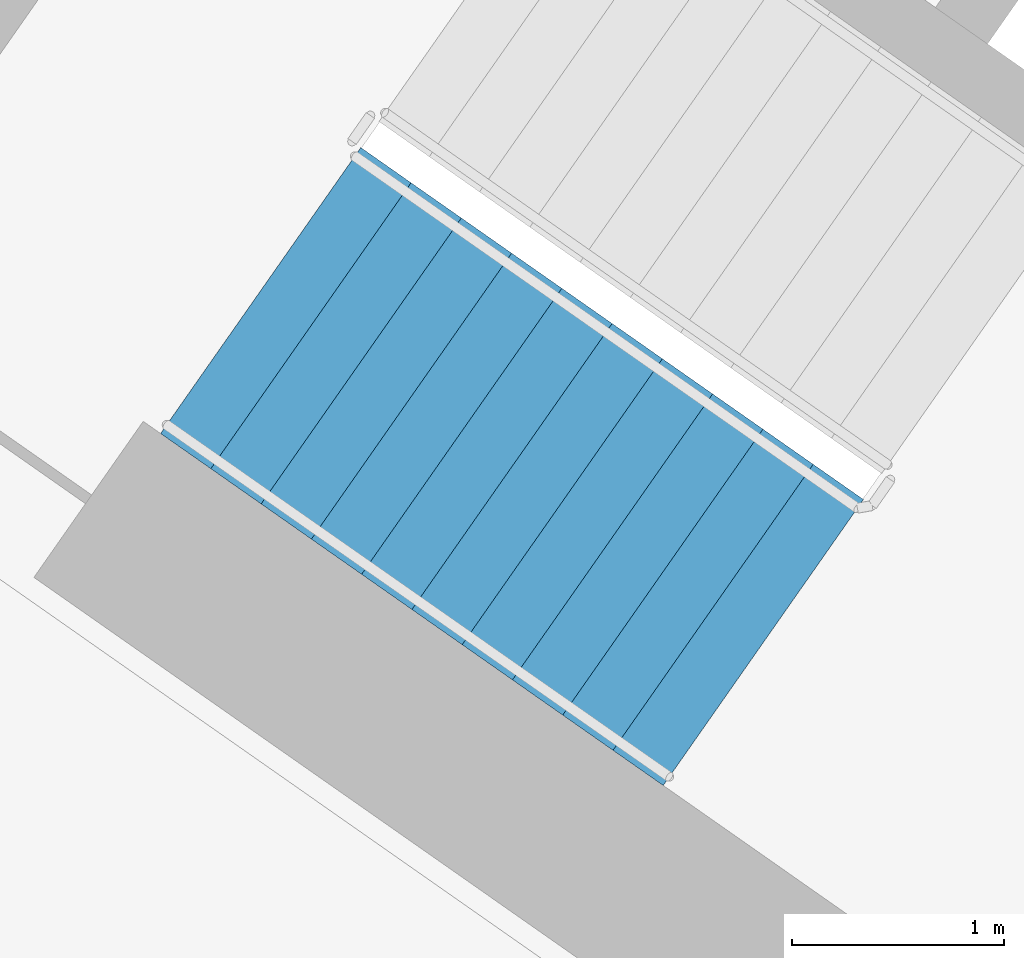
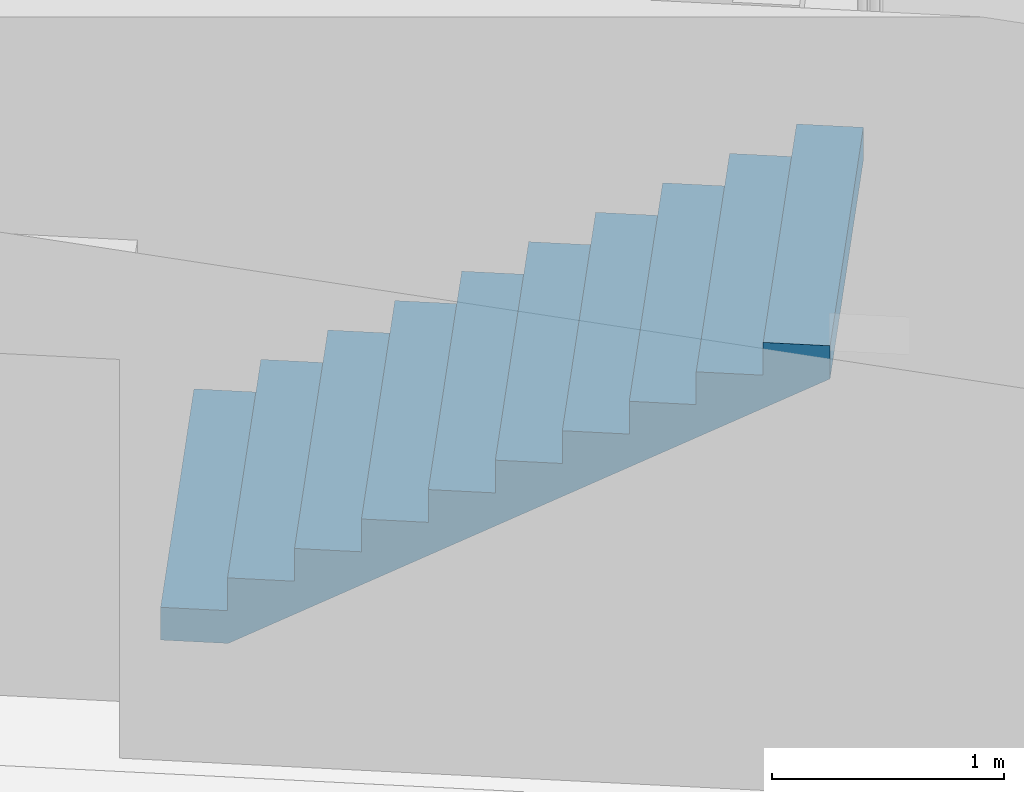
# One storey, part 9 of 29: 1 stair flight, 1 element without a shape of its own.
"""IFC4 building model written with IfcOpenShell, lengths in metres."""

from ifc_helpers import new_model, si_unit, direction, frame, origin, place, context, subcontext, project, spatial, faceted_brep, material, type_object, element, aggregate, save


model = new_model("IFC4")

# Units and contexts
model_context = context("Model", 3, precision=1e-05, world=origin(), true_north=direction((0.0, 1.0)))
body_context = subcontext(model_context, "Body", "Model", "MODEL_VIEW")
ifc_project = project(units=[si_unit("LENGTHUNIT", "METRE"), si_unit("AREAUNIT", "SQUARE_METRE"), si_unit("VOLUMEUNIT", "CUBIC_METRE"), si_unit("PLANEANGLEUNIT", "RADIAN"), si_unit("MASSUNIT", "GRAM", prefix="KILO")], contexts=[model_context])

# Site, building, storey
site_placement = place(None, origin())
site = spatial("IfcSite", under=ifc_project, at=site_placement, CompositionType="ELEMENT")
building_placement = place(site_placement, origin())
building = spatial("IfcBuilding", under=site, at=building_placement, Name="Qamariyya Broadcast Tower", CompositionType="ELEMENT")
storey_placement = place(building_placement, frame((0.0, 0.0, 132.89990234375)))
storey = spatial("IfcBuildingStorey", under=building, at=storey_placement, Name="L30", CompositionType="ELEMENT", Elevation=132.89990234375)

# Stair, stair flight
ifc_material = material(Name="Concrete C50/60", Category="concrete")
stair_type = type_object("IfcStairType", Name="Exit stair 22 risers of 173 mm", PredefinedType="HALF_TURN_STAIR", material=ifc_material)
stair_placement = place(storey_placement, origin())
stair = element("IfcStair", 1, at=stair_placement, inside=storey, type_object=stair_type, Name="L30 Stair W1", PredefinedType="HALF_TURN_STAIR")
stair_flight_type = type_object("IfcStairFlightType", Name="Exit stair flight 11 risers of 173 mm", PredefinedType="STRAIGHT", material=ifc_material)
stair_flight_placement = place(storey_placement, frame((-47.06884765625, -56.982666015625, 0.0), z_axis=(0.0, 0.0, 1.0), x_axis=(0.819152044289, -0.573576436351, 0.0)))
stair_flight = element("IfcStairFlight", 2, at=stair_flight_placement, type_object=stair_flight_type, Name="ST-W1 flight 1", NumberOfRisers=11, NumberOfTreads=10, PredefinedType="STRAIGHT", RiserHeight=0.172727273, TreadLength=0.29, context=body_context, shape_type="Brep", body=[
    faceted_brep([(0.0, 0.824951171875, 0.0), (0.0, 0.824951171875, 0.172607421875), (0.2900390625, 0.824951171875, 0.172607421875), (0.2900390625, 0.824951171875, 0.345458984375), (0.580078125, 0.824951171875, 0.345458984375), (0.580078125, 0.824951171875, 0.51806640625), (0.8701171875, 0.824951171875, 0.51806640625), (0.8701171875, 0.824951171875, 0.69091796875), (1.159912109375, 0.824951171875, 0.69091796875), (1.159912109375, 0.824951171875, 0.863525390625), (1.449951171875, 0.824951171875, 0.863525390625), (1.449951171875, 0.824951171875, 1.036376953125), (1.739990234375, 0.824951171875, 1.036376953125), (1.739990234375, 0.824951171875, 1.208984375), (2.030029296875, 0.824951171875, 1.208984375), (2.030029296875, 0.824951171875, 1.3818359375), (2.320068359375, 0.824951171875, 1.3818359375), (2.320068359375, 0.824951171875, 1.554443359375), (2.610107421875, 0.824951171875, 1.554443359375), (2.610107421875, 0.824951171875, 1.727294921875), (2.89990234375, 0.824951171875, 1.727294921875), (2.89990234375, 0.824951171875, 1.552734375), (0.29296875, 0.824951171875, 0.0), (0.29296875, -0.824951171875, 0.0), (2.89990234375, -0.824951171875, 1.552734375), (2.89990234375, -0.824951171875, 1.727294921875), (2.610107421875, -0.824951171875, 1.727294921875), (2.610107421875, -0.824951171875, 1.554443359375), (2.320068359375, -0.824951171875, 1.554443359375), (2.320068359375, -0.824951171875, 1.3818359375), (2.030029296875, -0.824951171875, 1.3818359375), (2.030029296875, -0.824951171875, 1.208984375), (1.739990234375, -0.824951171875, 1.208984375), (1.739990234375, -0.824951171875, 1.036376953125), (1.449951171875, -0.824951171875, 1.036376953125), (1.449951171875, -0.824951171875, 0.863525390625), (1.159912109375, -0.824951171875, 0.863525390625), (1.159912109375, -0.824951171875, 0.69091796875), (0.8701171875, -0.824951171875, 0.69091796875), (0.8701171875, -0.824951171875, 0.51806640625), (0.580078125, -0.824951171875, 0.51806640625), (0.580078125, -0.824951171875, 0.345458984375), (0.2900390625, -0.824951171875, 0.345458984375), (0.2900390625, -0.824951171875, 0.172607421875), (0.0, -0.824951171875, 0.172607421875), (0.0, -0.824951171875, 0.0), (0.0, 0.10009765625, 0.0), (0.0, 0.086669921875, 0.0), (0.0, 0.0732421875, 0.0), (0.0, 0.06005859375, 0.0), (0.0, 0.046630859375, 0.0), (0.0, 0.033447265625, 0.0), (0.0, 0.02001953125, 0.0), (0.0, 0.006591796875, 0.0), (0.0, -0.006591796875, 0.0), (0.0, -0.02001953125, 0.0), (0.0, -0.033447265625, 0.0), (0.0, -0.046630859375, 0.0), (0.0, -0.06005859375, 0.0), (0.0, -0.0732421875, 0.0), (0.0, -0.086669921875, 0.0), (0.0, -0.10009765625, 0.0), (0.0, -0.10009765625, 0.172607421875), (0.0, -0.086669921875, 0.172607421875), (0.0, -0.0732421875, 0.172607421875), (0.0, -0.06005859375, 0.172607421875), (0.0, -0.046630859375, 0.172607421875), (0.0, -0.033447265625, 0.172607421875), (0.0, -0.02001953125, 0.172607421875), (0.0, -0.006591796875, 0.172607421875), (0.0, 0.006591796875, 0.172607421875), (0.0, 0.02001953125, 0.172607421875), (0.0, 0.033447265625, 0.172607421875), (0.0, 0.046630859375, 0.172607421875), (0.0, 0.06005859375, 0.172607421875), (0.0, 0.0732421875, 0.172607421875), (0.0, 0.086669921875, 0.172607421875), (0.0, 0.10009765625, 0.172607421875), (0.2900390625, -0.10009765625, 0.172607421875), (0.2900390625, -0.086669921875, 0.172607421875), (0.2900390625, -0.0732421875, 0.172607421875), (0.2900390625, -0.06005859375, 0.172607421875), (0.2900390625, -0.046630859375, 0.172607421875), (0.2900390625, -0.033447265625, 0.172607421875), (0.2900390625, -0.02001953125, 0.172607421875), (0.2900390625, -0.006591796875, 0.172607421875), (0.2900390625, 0.006591796875, 0.172607421875), (0.2900390625, 0.02001953125, 0.172607421875), (0.2900390625, 0.033447265625, 0.172607421875), (0.2900390625, 0.046630859375, 0.172607421875), (0.2900390625, 0.06005859375, 0.172607421875), (0.2900390625, 0.0732421875, 0.172607421875), (0.2900390625, 0.086669921875, 0.172607421875), (0.2900390625, 0.10009765625, 0.172607421875), (0.2900390625, -0.10009765625, 0.345458984375), (0.2900390625, -0.086669921875, 0.345458984375), (0.2900390625, -0.0732421875, 0.345458984375), (0.2900390625, -0.06005859375, 0.345458984375), (0.2900390625, -0.046630859375, 0.345458984375), (0.2900390625, -0.033447265625, 0.345458984375), (0.2900390625, -0.02001953125, 0.345458984375), (0.2900390625, -0.006591796875, 0.345458984375), (0.2900390625, 0.006591796875, 0.345458984375), (0.2900390625, 0.02001953125, 0.345458984375), (0.2900390625, 0.033447265625, 0.345458984375), (0.2900390625, 0.046630859375, 0.345458984375), (0.2900390625, 0.06005859375, 0.345458984375), (0.2900390625, 0.0732421875, 0.345458984375), (0.2900390625, 0.086669921875, 0.345458984375), (0.2900390625, 0.10009765625, 0.345458984375), (0.580078125, -0.10009765625, 0.345458984375), (0.580078125, -0.086669921875, 0.345458984375), (0.580078125, -0.0732421875, 0.345458984375), (0.580078125, -0.06005859375, 0.345458984375), (0.580078125, -0.046630859375, 0.345458984375), (0.580078125, -0.033447265625, 0.345458984375), (0.580078125, -0.02001953125, 0.345458984375), (0.580078125, -0.006591796875, 0.345458984375), (0.580078125, 0.006591796875, 0.345458984375), (0.580078125, 0.02001953125, 0.345458984375), (0.580078125, 0.033447265625, 0.345458984375), (0.580078125, 0.046630859375, 0.345458984375), (0.580078125, 0.06005859375, 0.345458984375), (0.580078125, 0.0732421875, 0.345458984375), (0.580078125, 0.086669921875, 0.345458984375), (0.580078125, 0.10009765625, 0.345458984375), (0.580078125, -0.10009765625, 0.51806640625), (0.580078125, -0.086669921875, 0.51806640625), (0.580078125, -0.0732421875, 0.51806640625), (0.580078125, -0.06005859375, 0.51806640625), (0.580078125, -0.046630859375, 0.51806640625), (0.580078125, -0.033447265625, 0.51806640625), (0.580078125, -0.02001953125, 0.51806640625), (0.580078125, -0.006591796875, 0.51806640625), (0.580078125, 0.006591796875, 0.51806640625), (0.580078125, 0.02001953125, 0.51806640625), (0.580078125, 0.033447265625, 0.51806640625), (0.580078125, 0.046630859375, 0.51806640625), (0.580078125, 0.06005859375, 0.51806640625), (0.580078125, 0.0732421875, 0.51806640625), (0.580078125, 0.086669921875, 0.51806640625), (0.580078125, 0.10009765625, 0.51806640625), (0.8701171875, -0.10009765625, 0.51806640625), (0.8701171875, -0.086669921875, 0.51806640625), (0.8701171875, -0.0732421875, 0.51806640625), (0.8701171875, -0.06005859375, 0.51806640625), (0.8701171875, -0.046630859375, 0.51806640625), (0.8701171875, -0.033447265625, 0.51806640625), (0.8701171875, -0.02001953125, 0.51806640625), (0.8701171875, -0.006591796875, 0.51806640625), (0.8701171875, 0.006591796875, 0.51806640625), (0.8701171875, 0.02001953125, 0.51806640625), (0.8701171875, 0.033447265625, 0.51806640625), (0.8701171875, 0.046630859375, 0.51806640625), (0.8701171875, 0.06005859375, 0.51806640625), (0.8701171875, 0.0732421875, 0.51806640625), (0.8701171875, 0.086669921875, 0.51806640625), (0.8701171875, 0.10009765625, 0.51806640625), (0.8701171875, -0.10009765625, 0.69091796875), (0.8701171875, -0.086669921875, 0.69091796875), (0.8701171875, -0.0732421875, 0.69091796875), (0.8701171875, -0.06005859375, 0.69091796875), (0.8701171875, -0.046630859375, 0.69091796875), (0.8701171875, -0.033447265625, 0.69091796875), (0.8701171875, -0.02001953125, 0.69091796875), (0.8701171875, -0.006591796875, 0.69091796875), (0.8701171875, 0.006591796875, 0.69091796875), (0.8701171875, 0.02001953125, 0.69091796875), (0.8701171875, 0.033447265625, 0.69091796875), (0.8701171875, 0.046630859375, 0.69091796875), (0.8701171875, 0.06005859375, 0.69091796875), (0.8701171875, 0.0732421875, 0.69091796875), (0.8701171875, 0.086669921875, 0.69091796875), (0.8701171875, 0.10009765625, 0.69091796875), (1.159912109375, -0.10009765625, 0.69091796875), (1.159912109375, -0.086669921875, 0.69091796875), (1.159912109375, -0.0732421875, 0.69091796875), (1.159912109375, -0.06005859375, 0.69091796875), (1.159912109375, -0.046630859375, 0.69091796875), (1.159912109375, -0.033447265625, 0.69091796875), (1.159912109375, -0.02001953125, 0.69091796875), (1.159912109375, -0.006591796875, 0.69091796875), (1.159912109375, 0.006591796875, 0.69091796875), (1.159912109375, 0.02001953125, 0.69091796875), (1.159912109375, 0.033447265625, 0.69091796875), (1.159912109375, 0.046630859375, 0.69091796875), (1.159912109375, 0.06005859375, 0.69091796875), (1.159912109375, 0.0732421875, 0.69091796875), (1.159912109375, 0.086669921875, 0.69091796875), (1.159912109375, 0.10009765625, 0.69091796875), (1.159912109375, -0.10009765625, 0.863525390625), (1.159912109375, -0.086669921875, 0.863525390625), (1.159912109375, -0.0732421875, 0.863525390625), (1.159912109375, -0.06005859375, 0.863525390625), (1.159912109375, -0.046630859375, 0.863525390625), (1.159912109375, -0.033447265625, 0.863525390625), (1.159912109375, -0.02001953125, 0.863525390625), (1.159912109375, -0.006591796875, 0.863525390625), (1.159912109375, 0.006591796875, 0.863525390625), (1.159912109375, 0.02001953125, 0.863525390625), (1.159912109375, 0.033447265625, 0.863525390625), (1.159912109375, 0.046630859375, 0.863525390625), (1.159912109375, 0.06005859375, 0.863525390625), (1.159912109375, 0.0732421875, 0.863525390625), (1.159912109375, 0.086669921875, 0.863525390625), (1.159912109375, 0.10009765625, 0.863525390625), (1.449951171875, -0.10009765625, 0.863525390625), (1.449951171875, -0.086669921875, 0.863525390625), (1.449951171875, -0.0732421875, 0.863525390625), (1.449951171875, -0.06005859375, 0.863525390625), (1.449951171875, -0.046630859375, 0.863525390625), (1.449951171875, -0.033447265625, 0.863525390625), (1.449951171875, -0.02001953125, 0.863525390625), (1.449951171875, -0.006591796875, 0.863525390625), (1.449951171875, 0.006591796875, 0.863525390625), (1.449951171875, 0.02001953125, 0.863525390625), (1.449951171875, 0.033447265625, 0.863525390625), (1.449951171875, 0.046630859375, 0.863525390625), (1.449951171875, 0.06005859375, 0.863525390625), (1.449951171875, 0.0732421875, 0.863525390625), (1.449951171875, 0.086669921875, 0.863525390625), (1.449951171875, 0.10009765625, 0.863525390625), (1.449951171875, -0.10009765625, 1.036376953125), (1.449951171875, -0.086669921875, 1.036376953125), (1.449951171875, -0.0732421875, 1.036376953125), (1.449951171875, -0.06005859375, 1.036376953125), (1.449951171875, -0.046630859375, 1.036376953125), (1.449951171875, -0.033447265625, 1.036376953125), (1.449951171875, -0.02001953125, 1.036376953125), (1.449951171875, -0.006591796875, 1.036376953125), (1.449951171875, 0.006591796875, 1.036376953125), (1.449951171875, 0.02001953125, 1.036376953125), (1.449951171875, 0.033447265625, 1.036376953125), (1.449951171875, 0.046630859375, 1.036376953125), (1.449951171875, 0.06005859375, 1.036376953125), (1.449951171875, 0.0732421875, 1.036376953125), (1.449951171875, 0.086669921875, 1.036376953125), (1.449951171875, 0.10009765625, 1.036376953125), (1.739990234375, -0.10009765625, 1.036376953125), (1.739990234375, -0.086669921875, 1.036376953125), (1.739990234375, -0.0732421875, 1.036376953125), (1.739990234375, -0.06005859375, 1.036376953125), (1.739990234375, -0.046630859375, 1.036376953125), (1.739990234375, -0.033447265625, 1.036376953125), (1.739990234375, -0.02001953125, 1.036376953125), (1.739990234375, -0.006591796875, 1.036376953125), (1.739990234375, 0.006591796875, 1.036376953125), (1.739990234375, 0.02001953125, 1.036376953125), (1.739990234375, 0.033447265625, 1.036376953125), (1.739990234375, 0.046630859375, 1.036376953125), (1.739990234375, 0.06005859375, 1.036376953125), (1.739990234375, 0.0732421875, 1.036376953125), (1.739990234375, 0.086669921875, 1.036376953125), (1.739990234375, 0.10009765625, 1.036376953125), (1.739990234375, -0.10009765625, 1.208984375), (1.739990234375, -0.086669921875, 1.208984375), (1.739990234375, -0.0732421875, 1.208984375), (1.739990234375, -0.06005859375, 1.208984375), (1.739990234375, -0.046630859375, 1.208984375), (1.739990234375, -0.033447265625, 1.208984375), (1.739990234375, -0.02001953125, 1.208984375), (1.739990234375, -0.006591796875, 1.208984375), (1.739990234375, 0.006591796875, 1.208984375), (1.739990234375, 0.02001953125, 1.208984375), (1.739990234375, 0.033447265625, 1.208984375), (1.739990234375, 0.046630859375, 1.208984375), (1.739990234375, 0.06005859375, 1.208984375), (1.739990234375, 0.0732421875, 1.208984375), (1.739990234375, 0.086669921875, 1.208984375), (1.739990234375, 0.10009765625, 1.208984375), (2.030029296875, -0.10009765625, 1.208984375), (2.030029296875, -0.086669921875, 1.208984375), (2.030029296875, -0.0732421875, 1.208984375), (2.030029296875, -0.06005859375, 1.208984375), (2.030029296875, -0.046630859375, 1.208984375), (2.030029296875, -0.033447265625, 1.208984375), (2.030029296875, -0.02001953125, 1.208984375), (2.030029296875, -0.006591796875, 1.208984375), (2.030029296875, 0.006591796875, 1.208984375), (2.030029296875, 0.02001953125, 1.208984375), (2.030029296875, 0.033447265625, 1.208984375), (2.030029296875, 0.046630859375, 1.208984375), (2.030029296875, 0.06005859375, 1.208984375), (2.030029296875, 0.0732421875, 1.208984375), (2.030029296875, 0.086669921875, 1.208984375), (2.030029296875, 0.10009765625, 1.208984375), (2.030029296875, -0.10009765625, 1.3818359375), (2.030029296875, -0.086669921875, 1.3818359375), (2.030029296875, -0.0732421875, 1.3818359375), (2.030029296875, -0.06005859375, 1.3818359375), (2.030029296875, -0.046630859375, 1.3818359375), (2.030029296875, -0.033447265625, 1.3818359375), (2.030029296875, -0.02001953125, 1.3818359375), (2.030029296875, -0.006591796875, 1.3818359375), (2.030029296875, 0.006591796875, 1.3818359375), (2.030029296875, 0.02001953125, 1.3818359375), (2.030029296875, 0.033447265625, 1.3818359375), (2.030029296875, 0.046630859375, 1.3818359375), (2.030029296875, 0.06005859375, 1.3818359375), (2.030029296875, 0.0732421875, 1.3818359375), (2.030029296875, 0.086669921875, 1.3818359375), (2.030029296875, 0.10009765625, 1.3818359375), (2.320068359375, -0.10009765625, 1.3818359375), (2.320068359375, -0.086669921875, 1.3818359375), (2.320068359375, -0.0732421875, 1.3818359375), (2.320068359375, -0.06005859375, 1.3818359375), (2.320068359375, -0.046630859375, 1.3818359375), (2.320068359375, -0.033447265625, 1.3818359375), (2.320068359375, -0.02001953125, 1.3818359375), (2.320068359375, -0.006591796875, 1.3818359375), (2.320068359375, 0.006591796875, 1.3818359375), (2.320068359375, 0.02001953125, 1.3818359375), (2.320068359375, 0.033447265625, 1.3818359375), (2.320068359375, 0.046630859375, 1.3818359375), (2.320068359375, 0.06005859375, 1.3818359375), (2.320068359375, 0.0732421875, 1.3818359375), (2.320068359375, 0.086669921875, 1.3818359375), (2.320068359375, 0.10009765625, 1.3818359375), (2.320068359375, -0.10009765625, 1.554443359375), (2.320068359375, -0.086669921875, 1.554443359375), (2.320068359375, -0.0732421875, 1.554443359375), (2.320068359375, -0.06005859375, 1.554443359375), (2.320068359375, -0.046630859375, 1.554443359375), (2.320068359375, -0.033447265625, 1.554443359375), (2.320068359375, -0.02001953125, 1.554443359375), (2.320068359375, -0.006591796875, 1.554443359375), (2.320068359375, 0.006591796875, 1.554443359375), (2.320068359375, 0.02001953125, 1.554443359375), (2.320068359375, 0.033447265625, 1.554443359375), (2.320068359375, 0.046630859375, 1.554443359375), (2.320068359375, 0.06005859375, 1.554443359375), (2.320068359375, 0.0732421875, 1.554443359375), (2.320068359375, 0.086669921875, 1.554443359375), (2.320068359375, 0.10009765625, 1.554443359375), (2.610107421875, -0.10009765625, 1.554443359375), (2.610107421875, -0.086669921875, 1.554443359375), (2.610107421875, -0.0732421875, 1.554443359375), (2.610107421875, -0.06005859375, 1.554443359375), (2.610107421875, -0.046630859375, 1.554443359375), (2.610107421875, -0.033447265625, 1.554443359375), (2.610107421875, -0.02001953125, 1.554443359375), (2.610107421875, -0.006591796875, 1.554443359375), (2.610107421875, 0.006591796875, 1.554443359375), (2.610107421875, 0.02001953125, 1.554443359375), (2.610107421875, 0.033447265625, 1.554443359375), (2.610107421875, 0.046630859375, 1.554443359375), (2.610107421875, 0.06005859375, 1.554443359375), (2.610107421875, 0.0732421875, 1.554443359375), (2.610107421875, 0.086669921875, 1.554443359375), (2.610107421875, 0.10009765625, 1.554443359375), (2.610107421875, -0.10009765625, 1.727294921875), (2.610107421875, -0.086669921875, 1.727294921875), (2.610107421875, -0.0732421875, 1.727294921875), (2.610107421875, -0.06005859375, 1.727294921875), (2.610107421875, -0.046630859375, 1.727294921875), (2.610107421875, -0.033447265625, 1.727294921875), (2.610107421875, -0.02001953125, 1.727294921875), (2.610107421875, -0.006591796875, 1.727294921875), (2.610107421875, 0.006591796875, 1.727294921875), (2.610107421875, 0.02001953125, 1.727294921875), (2.610107421875, 0.033447265625, 1.727294921875), (2.610107421875, 0.046630859375, 1.727294921875), (2.610107421875, 0.06005859375, 1.727294921875), (2.610107421875, 0.0732421875, 1.727294921875), (2.610107421875, 0.086669921875, 1.727294921875), (2.610107421875, 0.10009765625, 1.727294921875), (2.89990234375, -0.10009765625, 1.727294921875), (2.89990234375, -0.086669921875, 1.727294921875), (2.89990234375, -0.0732421875, 1.727294921875), (2.89990234375, -0.06005859375, 1.727294921875), (2.89990234375, -0.046630859375, 1.727294921875), (2.89990234375, -0.033447265625, 1.727294921875), (2.89990234375, -0.02001953125, 1.727294921875), (2.89990234375, -0.006591796875, 1.727294921875), (2.89990234375, 0.006591796875, 1.727294921875), (2.89990234375, 0.02001953125, 1.727294921875), (2.89990234375, 0.033447265625, 1.727294921875), (2.89990234375, 0.046630859375, 1.727294921875), (2.89990234375, 0.06005859375, 1.727294921875), (2.89990234375, 0.0732421875, 1.727294921875), (2.89990234375, 0.086669921875, 1.727294921875), (2.89990234375, 0.10009765625, 1.727294921875), (2.89990234375, -0.10009765625, 1.552734375), (2.89990234375, -0.086669921875, 1.552734375), (2.89990234375, -0.0732421875, 1.552734375), (2.89990234375, -0.06005859375, 1.552734375), (2.89990234375, -0.046630859375, 1.552734375), (2.89990234375, -0.033447265625, 1.552734375), (2.89990234375, -0.02001953125, 1.552734375), (2.89990234375, -0.006591796875, 1.552734375), (2.89990234375, 0.006591796875, 1.552734375), (2.89990234375, 0.02001953125, 1.552734375), (2.89990234375, 0.033447265625, 1.552734375), (2.89990234375, 0.046630859375, 1.552734375), (2.89990234375, 0.06005859375, 1.552734375), (2.89990234375, 0.0732421875, 1.552734375), (2.89990234375, 0.086669921875, 1.552734375), (2.89990234375, 0.10009765625, 1.552734375), (0.29296875, -0.10009765625, 0.0), (0.29296875, -0.086669921875, 0.0), (0.29296875, -0.0732421875, 0.0), (0.29296875, -0.06005859375, 0.0), (0.29296875, -0.046630859375, 0.0), (0.29296875, -0.033447265625, 0.0), (0.29296875, -0.02001953125, 0.0), (0.29296875, -0.006591796875, 0.0), (0.29296875, 0.006591796875, 0.0), (0.29296875, 0.02001953125, 0.0), (0.29296875, 0.033447265625, 0.0), (0.29296875, 0.046630859375, 0.0), (0.29296875, 0.06005859375, 0.0), (0.29296875, 0.0732421875, 0.0), (0.29296875, 0.086669921875, 0.0), (0.29296875, 0.10009765625, 0.0)], [[[0, 1, 2, 3, 4, 5, 6, 7, 8, 9, 10, 11, 12, 13, 14, 15, 16, 17, 18, 19, 20, 21, 22]], [[23, 24, 25, 26, 27, 28, 29, 30, 31, 32, 33, 34, 35, 36, 37, 38, 39, 40, 41, 42, 43, 44, 45]], [[0, 46, 47, 48, 49, 50, 51, 52, 53, 54, 55, 56, 57, 58, 59, 60, 61, 45, 44, 62, 63, 64, 65, 66, 67, 68, 69, 70, 71, 72, 73, 74, 75, 76, 77, 1]], [[1, 77, 76, 75, 74, 73, 72, 71, 70, 69, 68, 67, 66, 65, 64, 63, 62, 44, 43, 78, 79, 80, 81, 82, 83, 84, 85, 86, 87, 88, 89, 90, 91, 92, 93, 2]], [[2, 93, 92, 91, 90, 89, 88, 87, 86, 85, 84, 83, 82, 81, 80, 79, 78, 43, 42, 94, 95, 96, 97, 98, 99, 100, 101, 102, 103, 104, 105, 106, 107, 108, 109, 3]], [[3, 109, 108, 107, 106, 105, 104, 103, 102, 101, 100, 99, 98, 97, 96, 95, 94, 42, 41, 110, 111, 112, 113, 114, 115, 116, 117, 118, 119, 120, 121, 122, 123, 124, 125, 4]], [[4, 125, 124, 123, 122, 121, 120, 119, 118, 117, 116, 115, 114, 113, 112, 111, 110, 41, 40, 126, 127, 128, 129, 130, 131, 132, 133, 134, 135, 136, 137, 138, 139, 140, 141, 5]], [[5, 141, 140, 139, 138, 137, 136, 135, 134, 133, 132, 131, 130, 129, 128, 127, 126, 40, 39, 142, 143, 144, 145, 146, 147, 148, 149, 150, 151, 152, 153, 154, 155, 156, 157, 6]], [[6, 157, 156, 155, 154, 153, 152, 151, 150, 149, 148, 147, 146, 145, 144, 143, 142, 39, 38, 158, 159, 160, 161, 162, 163, 164, 165, 166, 167, 168, 169, 170, 171, 172, 173, 7]], [[7, 173, 172, 171, 170, 169, 168, 167, 166, 165, 164, 163, 162, 161, 160, 159, 158, 38, 37, 174, 175, 176, 177, 178, 179, 180, 181, 182, 183, 184, 185, 186, 187, 188, 189, 8]], [[8, 189, 188, 187, 186, 185, 184, 183, 182, 181, 180, 179, 178, 177, 176, 175, 174, 37, 36, 190, 191, 192, 193, 194, 195, 196, 197, 198, 199, 200, 201, 202, 203, 204, 205, 9]], [[9, 205, 204, 203, 202, 201, 200, 199, 198, 197, 196, 195, 194, 193, 192, 191, 190, 36, 35, 206, 207, 208, 209, 210, 211, 212, 213, 214, 215, 216, 217, 218, 219, 220, 221, 10]], [[10, 221, 220, 219, 218, 217, 216, 215, 214, 213, 212, 211, 210, 209, 208, 207, 206, 35, 34, 222, 223, 224, 225, 226, 227, 228, 229, 230, 231, 232, 233, 234, 235, 236, 237, 11]], [[11, 237, 236, 235, 234, 233, 232, 231, 230, 229, 228, 227, 226, 225, 224, 223, 222, 34, 33, 238, 239, 240, 241, 242, 243, 244, 245, 246, 247, 248, 249, 250, 251, 252, 253, 12]], [[12, 253, 252, 251, 250, 249, 248, 247, 246, 245, 244, 243, 242, 241, 240, 239, 238, 33, 32, 254, 255, 256, 257, 258, 259, 260, 261, 262, 263, 264, 265, 266, 267, 268, 269, 13]], [[13, 269, 268, 267, 266, 265, 264, 263, 262, 261, 260, 259, 258, 257, 256, 255, 254, 32, 31, 270, 271, 272, 273, 274, 275, 276, 277, 278, 279, 280, 281, 282, 283, 284, 285, 14]], [[14, 285, 284, 283, 282, 281, 280, 279, 278, 277, 276, 275, 274, 273, 272, 271, 270, 31, 30, 286, 287, 288, 289, 290, 291, 292, 293, 294, 295, 296, 297, 298, 299, 300, 301, 15]], [[15, 301, 300, 299, 298, 297, 296, 295, 294, 293, 292, 291, 290, 289, 288, 287, 286, 30, 29, 302, 303, 304, 305, 306, 307, 308, 309, 310, 311, 312, 313, 314, 315, 316, 317, 16]], [[16, 317, 316, 315, 314, 313, 312, 311, 310, 309, 308, 307, 306, 305, 304, 303, 302, 29, 28, 318, 319, 320, 321, 322, 323, 324, 325, 326, 327, 328, 329, 330, 331, 332, 333, 17]], [[17, 333, 332, 331, 330, 329, 328, 327, 326, 325, 324, 323, 322, 321, 320, 319, 318, 28, 27, 334, 335, 336, 337, 338, 339, 340, 341, 342, 343, 344, 345, 346, 347, 348, 349, 18]], [[18, 349, 348, 347, 346, 345, 344, 343, 342, 341, 340, 339, 338, 337, 336, 335, 334, 27, 26, 350, 351, 352, 353, 354, 355, 356, 357, 358, 359, 360, 361, 362, 363, 364, 365, 19]], [[19, 365, 364, 363, 362, 361, 360, 359, 358, 357, 356, 355, 354, 353, 352, 351, 350, 26, 25, 366, 367, 368, 369, 370, 371, 372, 373, 374, 375, 376, 377, 378, 379, 380, 381, 20]], [[20, 381, 380, 379, 378, 377, 376, 375, 374, 373, 372, 371, 370, 369, 368, 367, 366, 25, 24, 382, 383, 384, 385, 386, 387, 388, 389, 390, 391, 392, 393, 394, 395, 396, 397, 21]], [[21, 397, 396, 395, 394, 393, 392, 391, 390, 389, 388, 387, 386, 385, 384, 383, 382, 24, 23, 398, 399, 400, 401, 402, 403, 404, 405, 406, 407, 408, 409, 410, 411, 412, 413, 22]], [[22, 413, 412, 411, 410, 409, 408, 407, 406, 405, 404, 403, 402, 401, 400, 399, 398, 23, 45, 61, 60, 59, 58, 57, 56, 55, 54, 53, 52, 51, 50, 49, 48, 47, 46, 0]]]),
])
aggregate(stair, [stair_flight])

save(model, "model.ifc")
